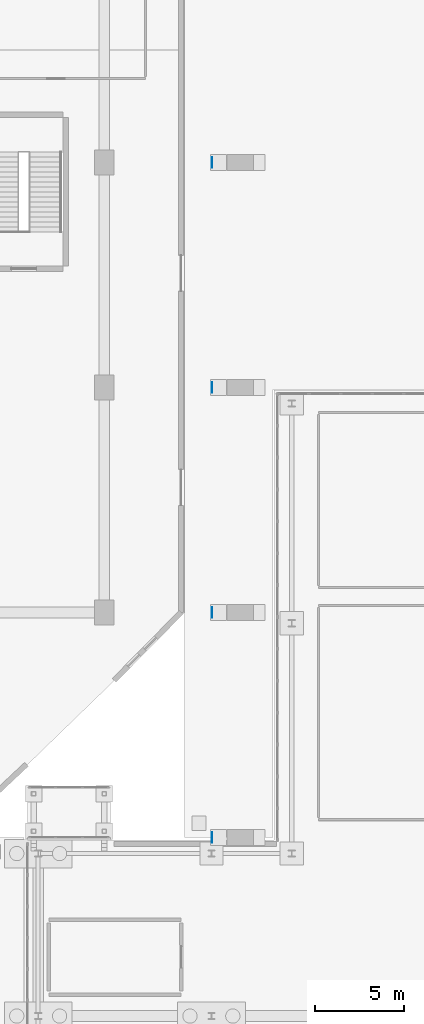
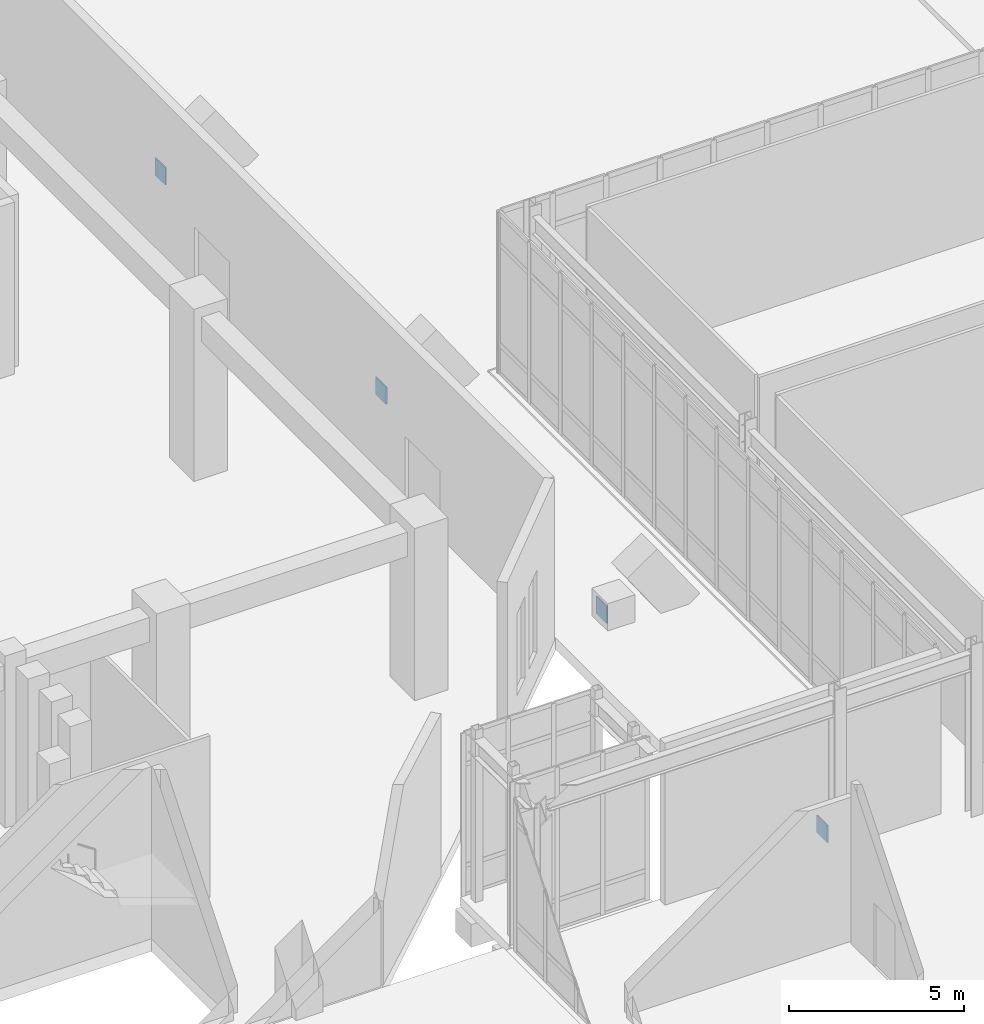
# One storey, part 98 of 143: 4 plates.
"""IFC4 building model written with IfcOpenShell, lengths in metres."""

from ifc_helpers import new_model, si_unit, derived_unit, direction, frame, origin, origin_2d, place, context, subcontext, project, spatial, rectangle, extrude, material, layer, layer_set, type_object, element, save


model = new_model("IFC4")

# Units and contexts
model_context = context("Model", 3, precision=1e-05, world=origin(), true_north=direction((0.0, 1.0)))
body_context = subcontext(model_context, "Body", "Model", "MODEL_VIEW")
ifc_project = project(units=[si_unit("LENGTHUNIT", "METRE"), si_unit("AREAUNIT", "SQUARE_METRE"), si_unit("VOLUMEUNIT", "CUBIC_METRE"), si_unit("PLANEANGLEUNIT", "RADIAN"), si_unit("MASSUNIT", "GRAM", prefix="KILO"), derived_unit("THERMALTRANSMITTANCEUNIT", [(si_unit("MASSUNIT", "GRAM", prefix="KILO"), 1), (si_unit("TIMEUNIT", "SECOND"), -3), (si_unit("THERMODYNAMICTEMPERATUREUNIT", "KELVIN"), -1)])], contexts=[model_context])

# Site, building, storey
site_placement = place(None, origin())
site = spatial("IfcSite", under=ifc_project, at=site_placement, CompositionType="ELEMENT")
building_placement = place(site_placement, origin())
building = spatial("IfcBuilding", under=site, at=building_placement, Name="Valcora Ridge Arena", CompositionType="ELEMENT")
storey_placement = place(building_placement, origin())
storey = spatial("IfcBuildingStorey", under=building, at=storey_placement, Name="L00", CompositionType="ELEMENT", Elevation=0.0)

# Plates
ifc_material = material(Name="Steel ASTM A572 Grade 50", Category="steel")
ifc_layer = layer(ifc_material, 0.044921875, Name="Steel ASTM A572 Grade 50")
ifc_layer_set = layer_set([ifc_layer], Name="Steel ASTM A572 Grade 50")
plate_type = type_object("IfcPlateType", Name="TY-PLATE-PL-CAP-550E", PredefinedType="USERDEFINED", material=ifc_layer_set)
for number, where, z_axis, x_axis, name in (
    (1, (108.533935546875, 20.0, 0.14990234375), (0.0, 0.0, 1.0), (1.0, 0.0, 0.0), "PL-CAP-550E SF-CP-0003"),
    (2, (108.533935546875, 32.60009765625, 0.14990234375), (0.0, 0.0, 1.0), (1.0, 0.0, 0.0), "PL-CAP-550E SF-CP-0006"),
    (3, (108.533935546875, 45.199951171875, 0.14990234375), (0.0, 0.0, 1.0), (1.0, 0.0, 0.0), "PL-CAP-550E SF-CP-0009"),
    (4, (108.533935546875, 57.800048828125, 0.14990234375), (0.0, 0.0, 1.0), (1.0, 0.0, 0.0), "PL-CAP-550E SF-CP-0012"),
):
    element("IfcPlate", number, at=place(storey_placement, frame(where, z_axis=z_axis, x_axis=x_axis)), inside=storey, type_object=plate_type, Name=name, ObjectType="GUSSET_PLATE", PredefinedType="USERDEFINED", context=body_context, shape_type="SweptSolid", body=[
        extrude(rectangle(XDim=0.044921875, YDim=0.60009765625, at=origin_2d()), origin(), (0.0, 0.0, 1.0), 0.60009765625),
    ])

save(model, "model.ifc")
